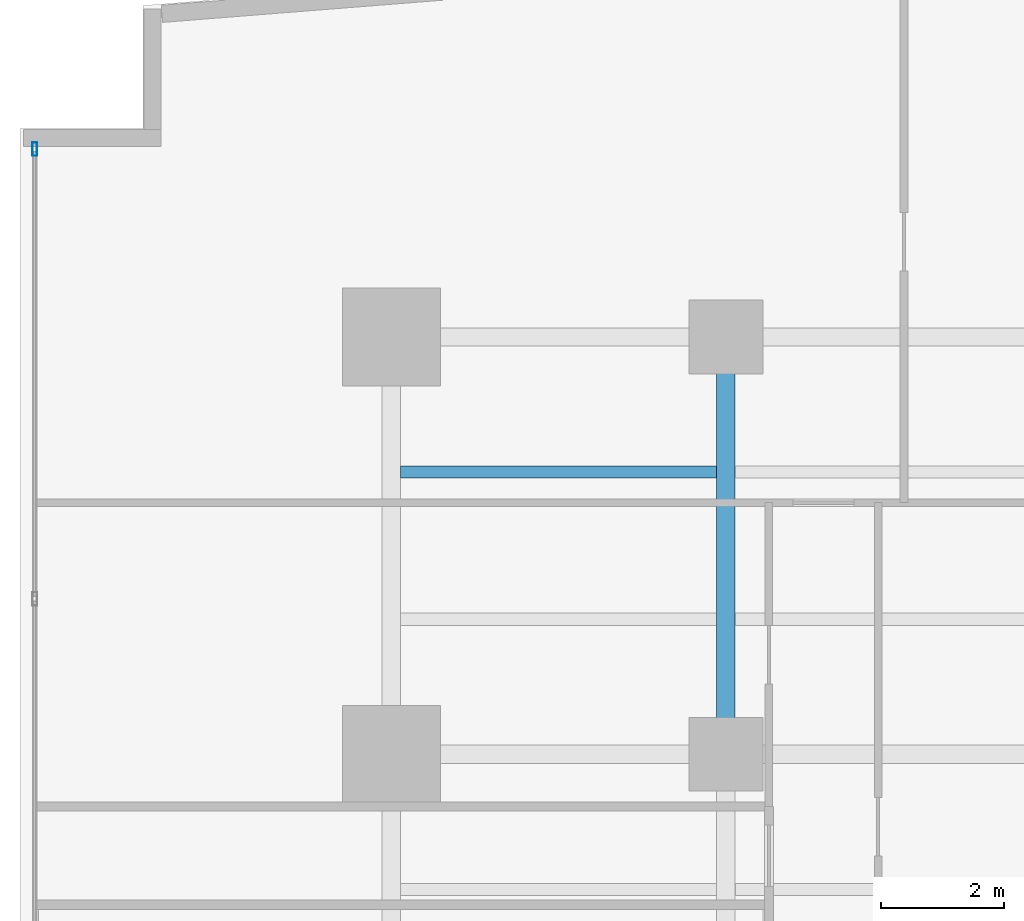
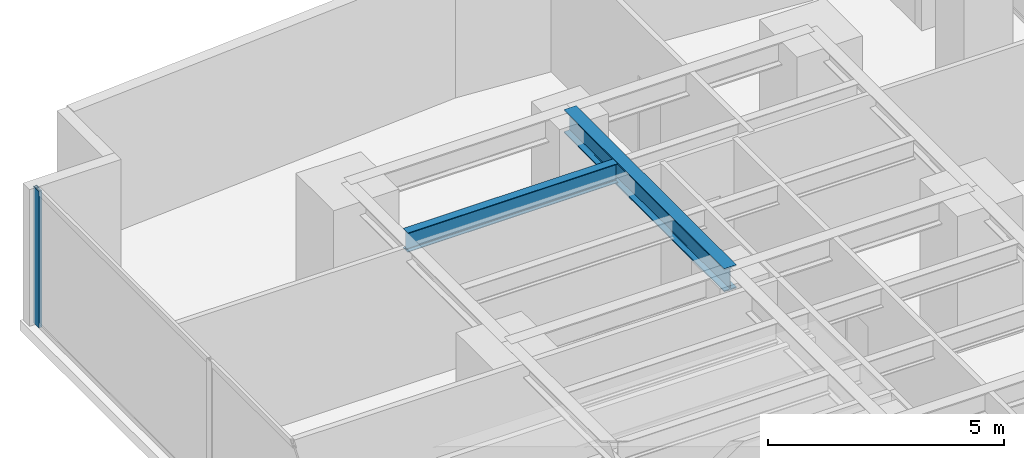
# One storey, part 17 of 26: 2 beams, 1 member, 1 element without a shape of its own.
"""IFC4 building model written with IfcOpenShell, lengths in metres."""

import ifcopenshell
import ifcopenshell.guid

model = None  # the IFC model being written
_history = None  # IfcOwnerHistory: only IFC2X3 demands one
_inside = {}  # id of a spatial element -> (the spatial element, [elements in it])
_under = {}  # id of a project, library or spatial element -> (it, [spatial elements below it])
_declared = {}  # id of a project -> (the project, [libraries it declares])
_typed = {}  # id of a type object -> (the type object, [elements of that type])
_made_of = {}  # id of a material, layer set ... -> (it, [elements and type objects made of it])


def new_model(schema):
    """Start an empty IFC model of exactly this schema.

    Asked for "IFC4X3", IfcOpenShell would pick the latest addendum, in which some entities
    have other attributes; the version numbers below select the first issue.
    IFC2X3 requires an IfcOwnerHistory on every rooted entity: one is made here for all.
    """
    global model, _history
    if schema == "IFC4X3":
        model = ifcopenshell.file(schema_version=(4, 3, 0, 0))
    else:
        model = ifcopenshell.file(schema=schema)
    _inside.clear()
    _under.clear()
    _declared.clear()
    _typed.clear()
    _made_of.clear()
    _history = None
    if model.schema == "IFC2X3":
        org = make("IfcOrganization", Name="unknown")
        user = make(
            "IfcPersonAndOrganization",
            ThePerson=make("IfcPerson", FamilyName="unknown"),
            TheOrganization=org,
        )
        app = make(
            "IfcApplication",
            ApplicationDeveloper=org,
            Version="unknown",
            ApplicationFullName="unknown",
            ApplicationIdentifier="unknown",
        )
        _history = make(
            "IfcOwnerHistory",
            OwningUser=user,
            OwningApplication=app,
            ChangeAction="ADDED",
            CreationDate=0,
        )
    return model


def make(cls, **values):
    """One entity of the class cls with the attributes given. An attribute that is None is left unset."""
    return model.create_entity(
        cls, **{name: value for name, value in values.items() if value is not None}
    )


def rooted(cls, **values):
    """An entity with a GlobalId (a new one), such as an element, a storey or a relation."""
    return make(cls, GlobalId=ifcopenshell.guid.new(), OwnerHistory=_history, **values)


def si_unit(unit_type, name, prefix=None):
    """IfcSIUnit, for example si_unit("LENGTHUNIT", "METRE", prefix="MILLI")."""
    return make("IfcSIUnit", UnitType=unit_type, Prefix=prefix, Name=name)


def assignment(units):
    """IfcUnitAssignment: the units of a project."""
    return None if units is None else make("IfcUnitAssignment", Units=units)


def point(xyz):
    """IfcCartesianPoint."""
    return None if xyz is None else make("IfcCartesianPoint", Coordinates=xyz)


def direction(xyz):
    """IfcDirection."""
    return None if xyz is None else make("IfcDirection", DirectionRatios=xyz)


def frame(location, z_axis=None, x_axis=None):
    """IfcAxis2Placement3D, a coordinate frame: its origin and axes. An axis left out is left unset."""
    return make(
        "IfcAxis2Placement3D",
        Location=point(location),
        Axis=direction(z_axis),
        RefDirection=direction(x_axis),
    )


def frame_2d(location, x_axis=None):
    """IfcAxis2Placement2D, a coordinate frame in the plane: its origin and x axis."""
    return make(
        "IfcAxis2Placement2D", Location=point(location), RefDirection=direction(x_axis)
    )


def origin():
    """The frame at (0, 0, 0) with its axes left unset."""
    return frame((0.0, 0.0, 0.0))


def origin_with_axes():
    """The frame at (0, 0, 0) with the z axis (0, 0, 1) and the x axis (1, 0, 0) written out."""
    return frame((0.0, 0.0, 0.0), z_axis=(0.0, 0.0, 1.0), x_axis=(1.0, 0.0, 0.0))


def origin_2d():
    """The frame at (0, 0) in the plane with its x axis left unset."""
    return frame_2d((0.0, 0.0))


def place(relative_to, where):
    """IfcLocalPlacement: puts the frame where relative to a parent placement (None: the world)."""
    return make(
        "IfcLocalPlacement", PlacementRelTo=relative_to, RelativePlacement=where
    )


def context(
    kind, dimensions, precision=None, world=None, true_north=None, identifier=None
):
    """IfcGeometricRepresentationContext, for example the 3D "Model" context."""
    return make(
        "IfcGeometricRepresentationContext",
        ContextIdentifier=identifier,
        ContextType=kind,
        CoordinateSpaceDimension=dimensions,
        Precision=precision,
        WorldCoordinateSystem=world,
        TrueNorth=true_north,
    )


def subcontext(parent, identifier, kind, view, scale=None):
    """IfcGeometricRepresentationSubContext, for example "Body" below "Model"."""
    return make(
        "IfcGeometricRepresentationSubContext",
        ContextIdentifier=identifier,
        ContextType=kind,
        ParentContext=parent,
        TargetScale=scale,
        TargetView=view,
    )


def project(units=None, contexts=None):
    """IfcProject with its units and contexts."""
    return rooted(
        "IfcProject",
        Name="project",
        RepresentationContexts=contexts,
        UnitsInContext=assignment(units),
    )


def spatial(cls, under=None, at=None, **own):
    """A site, building, storey or space (cls), placed at a placement, below another one or the project."""
    s = rooted(cls, ObjectPlacement=at, **own)
    if under is not None:
        _under.setdefault(under.id(), (under, []))[1].append(s)
    return s


def profile(cls, at=None, kind="AREA", **sizes):
    """A parametric profile (cls). Its sizes go by their IFC names, for example OverallWidth=200.0."""
    return make(cls, ProfileType=kind, Position=at, **sizes)


def hollow_rectangle(**sizes):
    """IfcRectangleHollowProfileDef."""
    return profile("IfcRectangleHollowProfileDef", **sizes)


def i_section(**sizes):
    """IfcIShapeProfileDef."""
    return profile("IfcIShapeProfileDef", **sizes)


def extrude(swept, where, along, depth):
    """IfcExtrudedAreaSolid: the profile swept, set in the frame where, extruded along a direction by depth."""
    return make(
        "IfcExtrudedAreaSolid",
        SweptArea=swept,
        Position=where,
        ExtrudedDirection=direction(along),
        Depth=depth,
    )


def shape(context_of_items, identifier, shape_type, items):
    """IfcShapeRepresentation: the items that make up one representation, for example the "Body"."""
    return make(
        "IfcShapeRepresentation",
        ContextOfItems=context_of_items,
        RepresentationIdentifier=identifier,
        RepresentationType=shape_type,
        Items=items,
    )


def source(mapping_origin, context_of_items, identifier, shape_type, items):
    """IfcRepresentationMap: a shape defined once, which mapped items show again and again."""
    return make(
        "IfcRepresentationMap",
        MappingOrigin=mapping_origin,
        MappedRepresentation=shape(context_of_items, identifier, shape_type, items),
    )


def transform(
    local_origin,
    x_axis=None,
    y_axis=None,
    z_axis=None,
    scale=None,
    scale2=None,
    scale3=None,
    uniform=True,
):
    """IfcCartesianTransformationOperator3D, or its non-uniform kind. x_axis, y_axis, z_axis: its Axis1, 2, 3."""
    if uniform:
        return make(
            "IfcCartesianTransformationOperator3D",
            Axis1=direction(x_axis),
            Axis2=direction(y_axis),
            LocalOrigin=point(local_origin),
            Scale=scale,
            Axis3=direction(z_axis),
        )
    return make(
        "IfcCartesianTransformationOperator3DnonUniform",
        Axis1=direction(x_axis),
        Axis2=direction(y_axis),
        LocalOrigin=point(local_origin),
        Scale=scale,
        Axis3=direction(z_axis),
        Scale2=scale2,
        Scale3=scale3,
    )


def mapped(mapping_source, mapping_target):
    """IfcMappedItem: shows the shape of a source again, moved by a transform."""
    return make(
        "IfcMappedItem", MappingSource=mapping_source, MappingTarget=mapping_target
    )


def material(Name=None, Category=None):
    """IfcMaterial."""
    return make("IfcMaterial", Name=Name, Category=Category)


def layer(
    of_material, thickness, ventilated=None, Name=None, Category=None, Priority=None
):
    """IfcMaterialLayer: one layer of a wall or slab, of a material (None: an air gap)."""
    return make(
        "IfcMaterialLayer",
        Material=of_material,
        LayerThickness=thickness,
        IsVentilated=ventilated,
        Name=Name,
        Category=Category,
        Priority=Priority,
    )


def layer_set(layers, Name=None):
    """IfcMaterialLayerSet."""
    return make("IfcMaterialLayerSet", MaterialLayers=layers, LayerSetName=Name)


def material_profile(
    of_material, cross_section, Name=None, Category=None, Priority=None
):
    """IfcMaterialProfile: a cross section and its material."""
    return make(
        "IfcMaterialProfile",
        Name=Name,
        Material=of_material,
        Profile=cross_section,
        Priority=Priority,
        Category=Category,
    )


def profile_set(profiles, Name=None, composite=None):
    """IfcMaterialProfileSet."""
    return make(
        "IfcMaterialProfileSet",
        Name=Name,
        MaterialProfiles=profiles,
        CompositeProfile=composite,
    )


def made_of(thing, what):
    """Note that an element or type object is made of a material, layer set ...; save() writes the relation."""
    if what is not None:
        _made_of.setdefault(what.id(), (what, []))[1].append(thing)
    return thing


def type_object(cls, material=None, **own):
    """A type object (cls), such as IfcWallType, which elements share."""
    return made_of(rooted(cls, **own), material)


def element(
    cls,
    number,
    at=None,
    inside=None,
    cuts=None,
    type_object=None,
    material=None,
    context=None,
    identifier="Body",
    shape_type=None,
    held_by="IfcProductDefinitionShape",
    body=None,
    shapes=None,
    **own,
):
    """One element of the class cls, such as IfcWall. Its Tag is "e" and its number.

    at: its placement. inside: the storey or other place that contains it. cuts: it is an
    opening in that element (IfcRelVoidsElement). A single representation is given by context,
    identifier, shape_type and body (its items); several are given by shapes. held_by: the class
    of the entity that holds the representations. save() writes the other relations.
    """
    e = rooted(cls, Tag="e%d" % number, ObjectPlacement=at, **own)
    if body is not None:
        shapes = [shape(context, identifier, shape_type, body)]
    if shapes is not None:
        e.Representation = make(held_by, Representations=shapes)
    if inside is not None:
        _inside.setdefault(inside.id(), (inside, []))[1].append(e)
    if cuts is not None:
        rooted(
            "IfcRelVoidsElement", RelatingBuildingElement=cuts, RelatedOpeningElement=e
        )
    if type_object is not None:
        _typed.setdefault(type_object.id(), (type_object, []))[1].append(e)
    return made_of(e, material)


def aggregate(whole, parts):
    """IfcRelAggregates: a whole, such as a stair, and the parts it consists of."""
    return rooted("IfcRelAggregates", RelatingObject=whole, RelatedObjects=parts)


def save(model, path):
    """Write the relations noted so far, then the file.

    IfcRelAggregates (storeys below a building ...), IfcRelContainedInSpatialStructure (elements
    in a storey), IfcRelDefinesByType, IfcRelAssociatesMaterial and IfcRelDeclares: one each for
    every whole, place, type object, material and project.
    """
    for whole, parts in _under.values():
        aggregate(whole, parts)
    for where, things in _inside.values():
        rooted(
            "IfcRelContainedInSpatialStructure",
            RelatedElements=things,
            RelatingStructure=where,
        )
    for kind, things in _typed.values():
        rooted("IfcRelDefinesByType", RelatedObjects=things, RelatingType=kind)
    for what, things in _made_of.values():
        rooted("IfcRelAssociatesMaterial", RelatedObjects=things, RelatingMaterial=what)
    for by, libraries in _declared.values():
        rooted("IfcRelDeclares", RelatingContext=by, RelatedDefinitions=libraries)
    model.write(path)


model = new_model("IFC4")

# Units and contexts
model_context = context("Model", 3, precision=1e-05, world=origin(), true_north=direction((0.0, 1.0)))
body_context = subcontext(model_context, "Body", "Model", "MODEL_VIEW")
ifc_project = project(units=[si_unit("LENGTHUNIT", "METRE"), si_unit("AREAUNIT", "SQUARE_METRE"), si_unit("VOLUMEUNIT", "CUBIC_METRE"), si_unit("PLANEANGLEUNIT", "RADIAN"), si_unit("MASSUNIT", "GRAM", prefix="KILO")], contexts=[model_context])

# Site, building, storey
site_placement = place(None, origin())
site = spatial("IfcSite", under=ifc_project, at=site_placement, CompositionType="ELEMENT")
building_placement = place(site_placement, origin())
building = spatial("IfcBuilding", under=site, at=building_placement, Name="Kolvaren Waterfront Exchange", CompositionType="ELEMENT")
storey_placement = place(building_placement, frame((0.0, 0.0, 48.60009765625)))
storey = spatial("IfcBuildingStorey", under=building, at=storey_placement, Name="L12", CompositionType="ELEMENT", Elevation=48.60009765625)

# Beams
ifc_material_1 = material(Name="Steel S355", Category="steel")
ifc_material_profile_1 = material_profile(ifc_material_1, i_section(OverallWidth=0.300048828125, OverallDepth=0.60009765625, WebThickness=0.015380859375, FlangeThickness=0.030029296875, FilletRadius=0.027099609375, at=origin_2d()), Name="HEB600")
ifc_profile_set_1 = profile_set([ifc_material_profile_1], Name="Steel S355")
beam_type_1 = type_object("IfcBeamType", Name="STR-BM-HEB600", PredefinedType="BEAM", material=ifc_profile_set_1)
beam_1_placement = place(storey_placement, frame((12.89990234375, 37.800048828125, 3.239990234375), z_axis=(0.0, 1.0, 0.0), x_axis=(-1.0, 0.0, 0.0)))
element("IfcBeam", 1, at=beam_1_placement, inside=storey, type_object=beam_type_1, Name="L12 north-arm edge beam 3", PredefinedType="BEAM", context=body_context, shape_type="SweptSolid", body=[
    extrude(i_section(OverallWidth=0.300048828125, OverallDepth=0.60009765625, WebThickness=0.015380859375, FlangeThickness=0.030029296875, FilletRadius=0.027099609375, at=origin_2d()), origin(), (0.0, 0.0, 1.0), 6.800048828125),
])
ifc_material_profile_2 = material_profile(ifc_material_1, i_section(OverallWidth=0.199951171875, OverallDepth=0.5, WebThickness=0.01025390625, FlangeThickness=0.01611328125, FilletRadius=0.02099609375, at=origin_2d()), Name="IPE500")
ifc_profile_set_2 = profile_set([ifc_material_profile_2], Name="Steel S355")
beam_type_2 = type_object("IfcBeamType", Name="STR-BM-IPE500", PredefinedType="JOIST", material=ifc_profile_set_2)
beam_2_placement = place(storey_placement, frame((7.60205078125, 42.39990234375, 3.289794921875), z_axis=(1.0, 0.0, 0.0), x_axis=(0.0, 1.0, 0.0)))
element("IfcBeam", 2, at=beam_2_placement, inside=storey, type_object=beam_type_2, Name="L12 north-arm composite joist 6A", PredefinedType="JOIST", context=body_context, shape_type="SweptSolid", body=[
    extrude(i_section(OverallWidth=0.199951171875, OverallDepth=0.5, WebThickness=0.01025390625, FlangeThickness=0.01611328125, FilletRadius=0.02099609375, at=origin_2d()), origin(), (0.0, 0.0, 1.0), 5.14599609375),
])

# Curtain wall, member
ifc_material_2 = material(Name="Anodised aluminium 6063-T6", Category="aluminium")
ifc_layer = layer(ifc_material_2, 0.219970703125, Name="Anodised aluminium 6063-T6")
ifc_layer_set = layer_set([ifc_layer], Name="Anodised aluminium 6063-T6")
curtain_wall_type = type_object("IfcCurtainWallType", Name="ARC-CW-SYS2", PredefinedType="USERDEFINED", material=ifc_layer_set)
curtain_wall_placement = place(storey_placement, origin())
curtain_wall = element("IfcCurtainWall", 3, at=curtain_wall_placement, inside=storey, type_object=curtain_wall_type, Name="L12 stick curtain wall CW2 (CW-L12-W)", ObjectType="STICK CURTAIN WALL", PredefinedType="USERDEFINED")
ifc_material_profile_3 = material_profile(ifc_material_2, hollow_rectangle(XDim=0.080078125, YDim=0.219970703125, WallThickness=0.0048828125, at=origin_2d()), Name="ALU-MUL-220x80x5")
ifc_profile_set_3 = profile_set([ifc_material_profile_3], Name="Anodised aluminium 6063-T6")
member_type = type_object("IfcMemberType", Name="ARC-CWM-220", PredefinedType="MULLION", material=ifc_profile_set_3)
shared_shape = source(origin_with_axes(), body_context, "Body", "SweptSolid", [
    extrude(hollow_rectangle(XDim=0.080078125, YDim=0.219970703125, WallThickness=0.0048828125, at=origin_2d()), origin(), (0.0, 0.0, 1.0), 3.539794921875),
])
member_placement = place(storey_placement, frame((1.639892578125, 47.659912109375, 0.0), z_axis=(0.0, 0.0, 1.0), x_axis=(-1.0, 0.0, 0.0)))
member = element("IfcMember", 4, at=member_placement, type_object=member_type, Name="CW2 mullion 7", PredefinedType="MULLION", context=body_context, shape_type="MappedRepresentation", body=[
    mapped(shared_shape, transform((0.0, 0.0, 0.0), x_axis=(1.0, 0.0, 0.0), y_axis=(0.0, 1.0, 0.0), z_axis=(0.0, 0.0, 1.0), scale=1.0)),
])
aggregate(curtain_wall, [member])

save(model, "model.ifc")
